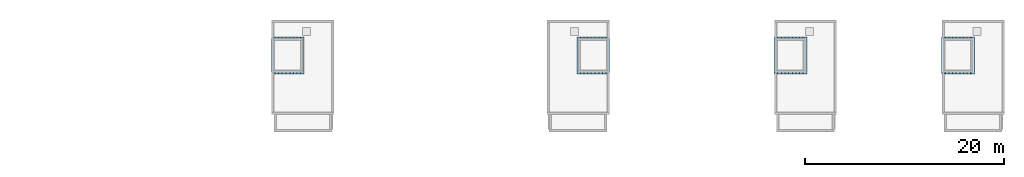
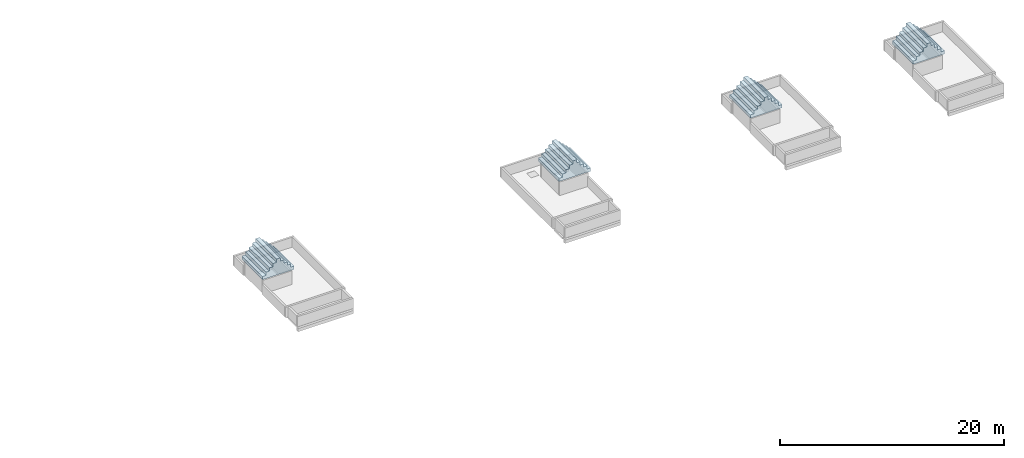
# One storey, part 13 of 15: 4 roofs.
"""IFC4 building model written with IfcOpenShell, lengths in metres."""

from ifc_helpers import new_model, si_unit, direction, frame, origin, place, context, subcontext, project, spatial, polyline, outline, extrude, material, type_object, element, save


model = new_model("IFC4")

# Units and contexts
model_context = context("Model", 3, precision=1e-05, world=origin(), true_north=direction((0.0, 1.0)))
body_context = subcontext(model_context, "Body", "Model", "MODEL_VIEW")
ifc_project = project(units=[si_unit("LENGTHUNIT", "METRE"), si_unit("AREAUNIT", "SQUARE_METRE"), si_unit("VOLUMEUNIT", "CUBIC_METRE"), si_unit("PLANEANGLEUNIT", "RADIAN"), si_unit("MASSUNIT", "GRAM", prefix="KILO")], contexts=[model_context])

# Site, building, storey
site_placement = place(None, origin())
site = spatial("IfcSite", under=ifc_project, at=site_placement, CompositionType="ELEMENT")
building_placement = place(site_placement, origin())
building = spatial("IfcBuilding", under=site, at=building_placement, Name="Ridgestep Commons", CompositionType="ELEMENT")
storey_placement = place(building_placement, frame((0.0, 0.0, 45.0)))
storey = spatial("IfcBuildingStorey", under=building, at=storey_placement, Name="L15", CompositionType="ELEMENT", Elevation=45.0)

# Roofs
ifc_material = material(Name="Zinc-aluminium profiled sheet", Category="aluminium")
roof_type = type_object("IfcRoofType", Name="Crow-stepped gable crown 3275 x 3700", PredefinedType="USERDEFINED", material=ifc_material)
for number, where, z_axis, x_axis, name in (
    (1, (163.449951171875, 19.449951171875, 1.699951171875), (0.0, 0.0, 1.0), (1.0, 0.0, 0.0), "Crow-stepped gable crown D2C"),
    (2, (194.074951171875, 19.449951171875, 1.699951171875), (0.0, 0.0, 1.0), (1.0, 0.0, 0.0), "Crow-stepped gable crown D3C"),
):
    element("IfcRoof", number, at=place(storey_placement, frame(where, z_axis=z_axis, x_axis=x_axis)), inside=storey, type_object=roof_type, Name=name, ObjectType="Crow-stepped gable roof", PredefinedType="USERDEFINED", context=body_context, shape_type="SweptSolid", body=[
        extrude(outline(polyline([(0.0, 0.0), (3.275146484375, 0.0), (3.27490234375, 0.35009765625), (2.917724609375, 0.35009765625), (2.91552734375, 0.699951171875), (2.558349609375, 0.699951171875), (2.55615234375, 1.050048828125), (2.198974609375, 1.050048828125), (2.19677734375, 1.400146484375), (1.839599609375, 1.400146484375), (1.83740234375, 1.75), (1.4375, 1.75), (1.435546875, 1.400146484375), (1.078125, 1.400146484375), (1.076171875, 1.050048828125), (0.71875, 1.050048828125), (0.716796875, 0.699951171875), (0.359375, 0.699951171875), (0.357421875, 0.35009765625), (0.0, 0.35009765625), (0.0, 0.0)])), frame((0.0, 1.85009765625, 0.0), z_axis=(0.0, -1.0, 0.0), x_axis=(1.0, 0.0, 0.0)), (0.0, 0.0, 1.0), 3.699951171875),
    ])
roof_1_placement = place(storey_placement, frame((213.85009765625, 19.449951171875, 1.699951171875), z_axis=(0.0, 0.0, 1.0), x_axis=(1.0, 0.0, 0.0)))
element("IfcRoof", 3, at=roof_1_placement, inside=storey, type_object=roof_type, Name="Crow-stepped gable crown D5C", ObjectType="Crow-stepped gable roof", PredefinedType="USERDEFINED", context=body_context, shape_type="SweptSolid", body=[
    extrude(outline(polyline([(0.0, 0.0), (3.27490234375, 0.0), (3.27490234375, 0.35009765625), (2.917724609375, 0.35009765625), (2.91552734375, 0.699951171875), (2.558349609375, 0.699951171875), (2.55615234375, 1.050048828125), (2.198974609375, 1.050048828125), (2.19677734375, 1.400146484375), (1.839599609375, 1.400146484375), (1.83740234375, 1.75), (1.4375, 1.75), (1.435546875, 1.400146484375), (1.078125, 1.400146484375), (1.076171875, 1.050048828125), (0.71875, 1.050048828125), (0.716796875, 0.699951171875), (0.359375, 0.699951171875), (0.357421875, 0.35009765625), (0.0, 0.35009765625), (0.0, 0.0)])), frame((0.0, 1.85009765625, 0.0), z_axis=(0.0, -1.0, 0.0), x_axis=(1.0, 0.0, 0.0)), (0.0, 0.0, 1.0), 3.699951171875),
])
roof_2_placement = place(storey_placement, frame((230.64990234375, 19.449951171875, 1.699951171875), z_axis=(0.0, 0.0, 1.0), x_axis=(1.0, 0.0, 0.0)))
element("IfcRoof", 4, at=roof_2_placement, inside=storey, type_object=roof_type, Name="Crow-stepped gable crown D6C", ObjectType="Crow-stepped gable roof", PredefinedType="USERDEFINED", context=body_context, shape_type="SweptSolid", body=[
    extrude(outline(polyline([(0.0, 0.0), (3.275146484375, 0.0), (3.27490234375, 0.35009765625), (2.917724609375, 0.35009765625), (2.91552734375, 0.699951171875), (2.558349609375, 0.699951171875), (2.55615234375, 1.050048828125), (2.198974609375, 1.050048828125), (2.19677734375, 1.400146484375), (1.839599609375, 1.400146484375), (1.83740234375, 1.75), (1.4375, 1.75), (1.435546875, 1.400146484375), (1.078125, 1.400146484375), (1.076171875, 1.050048828125), (0.71875, 1.050048828125), (0.716796875, 0.699951171875), (0.359375, 0.699951171875), (0.357421875, 0.35009765625), (0.0, 0.35009765625), (0.0, 0.0)])), frame((0.0, 1.85009765625, 0.0), z_axis=(0.0, -1.0, 0.0), x_axis=(1.0, 0.0, 0.0)), (0.0, 0.0, 1.0), 3.699951171875),
])

save(model, "model.ifc")
